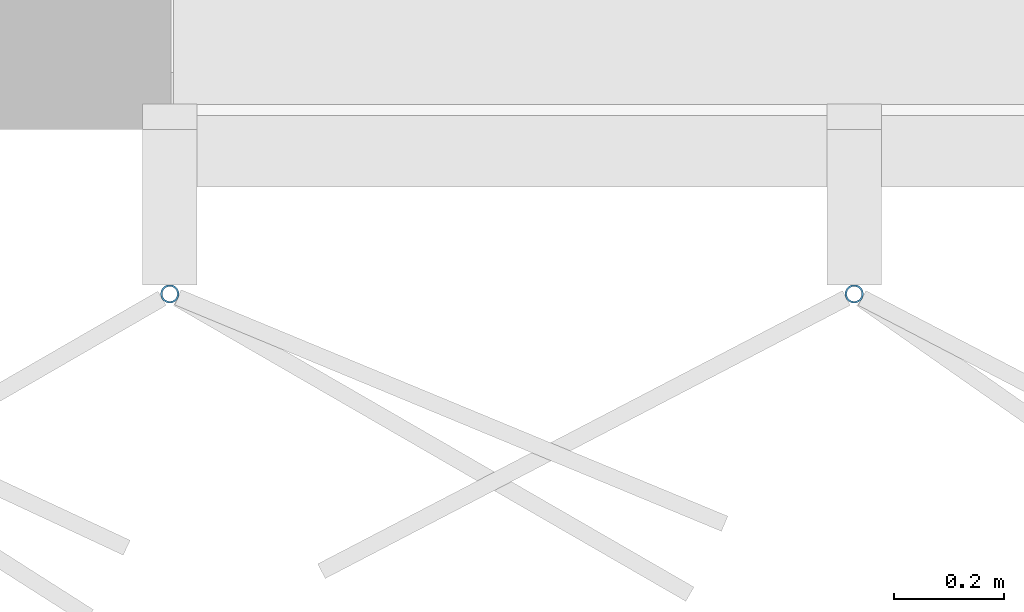
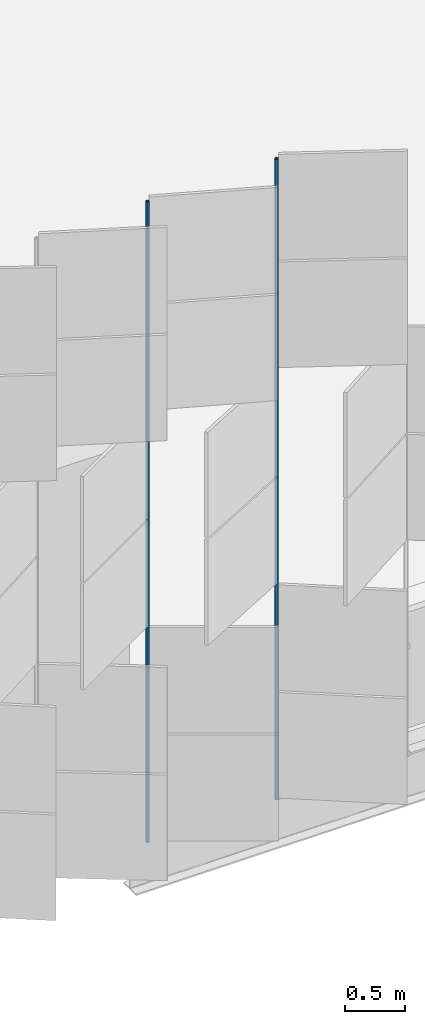
# One storey, part 217 of 483: 2 discrete accessories.
"""IFC4 building model written with IfcOpenShell, lengths in metres."""

from ifc_helpers import new_model, si_unit, direction, frame, origin, origin_2d, place, context, subcontext, project, spatial, hollow_circle, extrude, material, material_profile, profile_set, type_object, element, save


model = new_model("IFC4")

# Units and contexts
model_context = context("Model", 3, precision=1e-05, world=origin(), true_north=direction((0.0, 1.0)))
body_context = subcontext(model_context, "Body", "Model", "MODEL_VIEW")
ifc_project = project(units=[si_unit("LENGTHUNIT", "METRE"), si_unit("AREAUNIT", "SQUARE_METRE"), si_unit("VOLUMEUNIT", "CUBIC_METRE"), si_unit("PLANEANGLEUNIT", "RADIAN"), si_unit("MASSUNIT", "GRAM", prefix="KILO")], contexts=[model_context])

# Site, building, storey
site_placement = place(None, origin())
site = spatial("IfcSite", under=ifc_project, at=site_placement, CompositionType="ELEMENT")
building_placement = place(site_placement, origin())
building = spatial("IfcBuilding", under=site, at=building_placement, Name="Parallax Yard Mobility Hub", CompositionType="ELEMENT")
storey_placement = place(building_placement, frame((0.0, 0.0, 13.199951171875)))
storey = spatial("IfcBuildingStorey", under=building, at=storey_placement, Name="L04", CompositionType="ELEMENT", Elevation=13.199951171875)

# Discrete accessories
ifc_material = material(Name="Steel ASTM A500 Gr C, hot-dip galvanised", Category="steel")
ifc_material_profile = material_profile(ifc_material, hollow_circle(Radius=0.016845703125, WallThickness=0.003173828125, at=origin_2d()), Name="CHS 33.7x3.2")
ifc_profile_set = profile_set([ifc_material_profile], Name="Steel ASTM A500 Gr C, hot-dip galvanised")
discrete_accessory_type = type_object("IfcDiscreteAccessoryType", Name="Hinge post CHS 33.7x3.2", PredefinedType="BRACKET", material=ifc_profile_set)
for number, where, z_axis, x_axis, name in (
    (1, (142.498046875, 112.199951171875, 0.0), (0.0, 0.0, 1.0), (1.0, 0.0, 0.0), "Hinge post bay 14.1 level L04"),
    (2, (143.747314453125, 112.199951171875, 0.0), (0.0, 0.0, 1.0), (1.0, 0.0, 0.0), "Hinge post bay 14.2 level L04"),
):
    element("IfcDiscreteAccessory", number, at=place(storey_placement, frame(where, z_axis=z_axis, x_axis=x_axis)), inside=storey, type_object=discrete_accessory_type, Name=name, PredefinedType="BRACKET", context=body_context, shape_type="SweptSolid", body=[
        extrude(hollow_circle(Radius=0.016845703125, WallThickness=0.003173828125, at=origin_2d()), origin(), (0.0, 0.0, 1.0), 6.550048828125),
    ])

save(model, "model.ifc")
